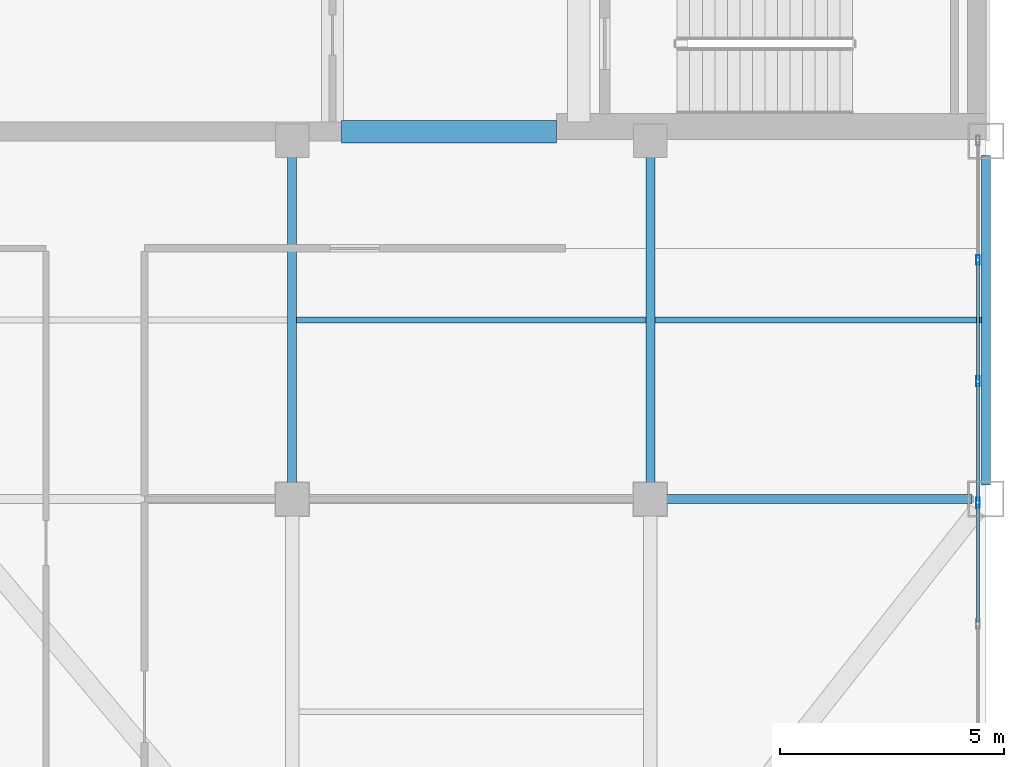
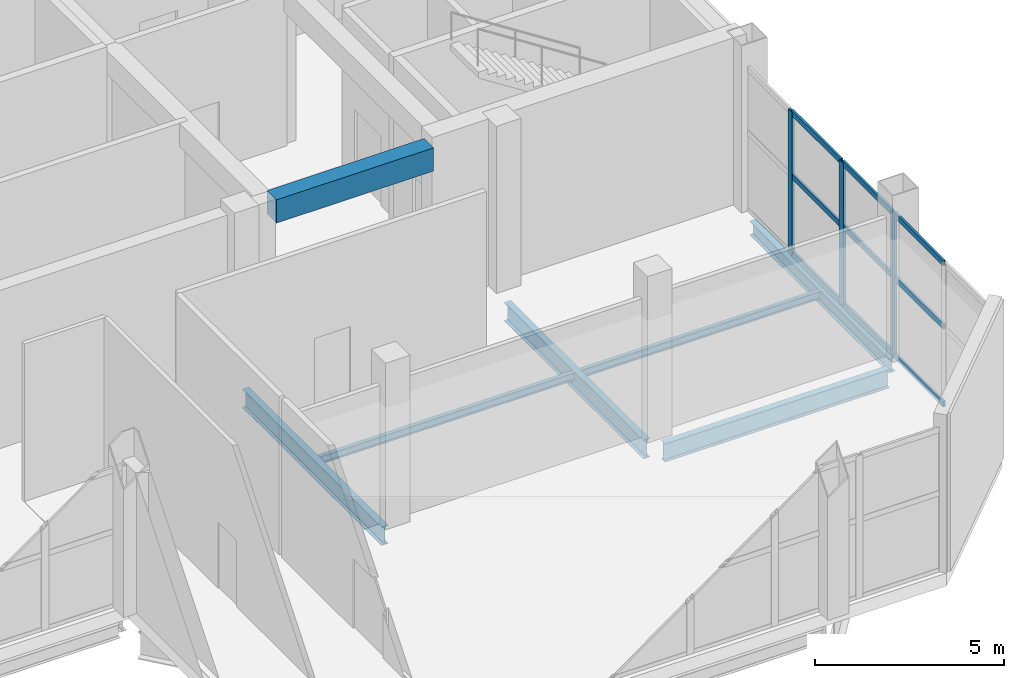
# One storey, part 9 of 17: 12 members, 7 beams, 1 element without a shape of its own.
"""IFC4 building model written with IfcOpenShell, lengths in metres."""

from ifc_helpers import new_model, si_unit, direction, frame, origin, origin_2d, place, context, subcontext, project, spatial, rectangle, hollow_rectangle, i_section, extrude, material, layer, layer_set, material_profile, profile_set, type_object, element, aggregate, save


model = new_model("IFC4")

# Units and contexts
model_context = context("Model", 3, precision=1e-05, world=origin(), true_north=direction((0.0, 1.0)))
body_context = subcontext(model_context, "Body", "Model", "MODEL_VIEW")
ifc_project = project(units=[si_unit("LENGTHUNIT", "METRE"), si_unit("AREAUNIT", "SQUARE_METRE"), si_unit("VOLUMEUNIT", "CUBIC_METRE"), si_unit("PLANEANGLEUNIT", "RADIAN"), si_unit("MASSUNIT", "GRAM", prefix="KILO")], contexts=[model_context])

# Site, building, storey
site_placement = place(None, origin())
site = spatial("IfcSite", under=ifc_project, at=site_placement, CompositionType="ELEMENT")
building_placement = place(site_placement, origin())
building = spatial("IfcBuilding", under=site, at=building_placement, Name="Qianrong Seaharbour Tower", CompositionType="ELEMENT")
storey_placement = place(building_placement, frame((0.0, 0.0, 373.0)))
storey = spatial("IfcBuildingStorey", under=building, at=storey_placement, Name="L90", CompositionType="ELEMENT", Elevation=373.0)

# Beams
ifc_material_1 = material(Name="Structural steel SN490B", Category="steel")
ifc_material_profile_1 = material_profile(ifc_material_1, i_section(OverallWidth=0.199951171875, OverallDepth=0.60009765625, WebThickness=0.010986328125, FlangeThickness=0.01708984375, FilletRadius=0.02197265625, at=origin_2d()), Name="H600x200x11x17")
ifc_profile_set_1 = profile_set([ifc_material_profile_1], Name="Structural steel SN490B")
beam_type_1 = type_object("IfcBeamType", Name="BM-G-600", PredefinedType="BEAM", material=ifc_profile_set_1)
beam_1_placement = place(storey_placement, frame((56.820068359375, 28.0, -0.7099609375), z_axis=(1.0, 0.0, 0.0), x_axis=(0.0, 1.0, 0.0)))
element("IfcBeam", 1, at=beam_1_placement, inside=storey, type_object=beam_type_1, Name="L90 Primary Girder GE G8-G9", PredefinedType="BEAM", context=body_context, shape_type="SweptSolid", body=[
    extrude(i_section(OverallWidth=0.199951171875, OverallDepth=0.60009765625, WebThickness=0.010986328125, FlangeThickness=0.01708984375, FilletRadius=0.02197265625, at=origin_2d()), origin(), (0.0, 0.0, 1.0), 6.85986328125),
])
for number, where, z_axis, x_axis, name in (
    (2, (48.5, 28.320068359375, -0.7099609375), (0.0, 1.0, 0.0), (-1.0, 0.0, 0.0), "L90 Primary Girder G7 GE-GF"),
    (3, (56.5, 28.320068359375, -0.7099609375), (0.0, 1.0, 0.0), (-1.0, 0.0, 0.0), "L90 Primary Girder G8 GE-GF"),
):
    element("IfcBeam", number, at=place(storey_placement, frame(where, z_axis=z_axis, x_axis=x_axis)), inside=storey, type_object=beam_type_1, Name=name, PredefinedType="BEAM", context=body_context, shape_type="SweptSolid", body=[
        extrude(i_section(OverallWidth=0.199951171875, OverallDepth=0.60009765625, WebThickness=0.010986328125, FlangeThickness=0.01708984375, FilletRadius=0.02197265625, at=origin_2d()), origin(), (0.0, 0.0, 1.0), 7.35986328125),
    ])
ifc_material_2 = material(Name="Structural steel SN400B", Category="steel")
ifc_material_profile_2 = material_profile(ifc_material_2, i_section(OverallWidth=0.125, OverallDepth=0.25, WebThickness=0.006103515625, FlangeThickness=0.009033203125, FilletRadius=0.011962890625, at=origin_2d()), Name="H250x125x6x9")
ifc_profile_set_2 = profile_set([ifc_material_profile_2], Name="Structural steel SN400B")
beam_type_2 = type_object("IfcBeamType", Name="BM-J-250", PredefinedType="JOIST", material=ifc_profile_set_2)
beam_2_placement = place(storey_placement, frame((48.60009765625, 32.0, -0.534912109375), z_axis=(1.0, 0.0, 0.0), x_axis=(0.0, 1.0, 0.0)))
element("IfcBeam", 4, at=beam_2_placement, inside=storey, type_object=beam_type_2, Name="L90 Composite Floor Joist G7-G8/GE-GF", PredefinedType="JOIST", context=body_context, shape_type="SweptSolid", body=[
    extrude(i_section(OverallWidth=0.125, OverallDepth=0.25, WebThickness=0.006103515625, FlangeThickness=0.009033203125, FilletRadius=0.011962890625, at=origin_2d()), origin(), (0.0, 0.0, 1.0), 7.7998046875),
])
beam_3_placement = place(storey_placement, frame((56.60009765625, 32.0, -0.534912109375), z_axis=(1.0, 0.0, 0.0), x_axis=(0.0, 1.0, 0.0)))
element("IfcBeam", 5, at=beam_3_placement, inside=storey, type_object=beam_type_2, Name="L90 Composite Floor Joist G8-G9/GE-GF", PredefinedType="JOIST", context=body_context, shape_type="SweptSolid", body=[
    extrude(i_section(OverallWidth=0.125, OverallDepth=0.25, WebThickness=0.006103515625, FlangeThickness=0.009033203125, FilletRadius=0.011962890625, at=origin_2d()), origin(), (0.0, 0.0, 1.0), 7.2998046875),
])
ifc_material_3 = material(Name="Concrete C60/75", Category="concrete")
ifc_material_profile_3 = material_profile(ifc_material_3, rectangle(XDim=0.5, YDim=0.75, at=origin_2d()), Name="RC500x750")
ifc_profile_set_3 = profile_set([ifc_material_profile_3], Name="Concrete C60/75")
beam_type_3 = type_object("IfcBeamType", Name="BM-LINTEL-750", PredefinedType="LINTEL", material=ifc_profile_set_3)
beam_4_placement = place(storey_placement, frame((49.60009765625, 36.2099609375, 4.735107421875), z_axis=(1.0, 0.0, 0.0), x_axis=(0.0, 1.0, 0.0)))
element("IfcBeam", 6, at=beam_4_placement, inside=storey, type_object=beam_type_3, Name="L90 Core Coupling Lintel Beam CBC", PredefinedType="LINTEL", context=body_context, shape_type="SweptSolid", body=[
    extrude(rectangle(XDim=0.5, YDim=0.75, at=origin_2d()), origin(), (0.0, 0.0, 1.0), 4.7998046875),
])
ifc_material_profile_4 = material_profile(ifc_material_2, i_section(OverallWidth=0.199951171875, OverallDepth=0.449951171875, WebThickness=0.009033203125, FlangeThickness=0.013916015625, FilletRadius=0.01806640625, at=origin_2d()), Name="H450x200x9x14")
ifc_profile_set_4 = profile_set([ifc_material_profile_4], Name="Structural steel SN400B")
beam_type_4 = type_object("IfcBeamType", Name="BM-SP-450", PredefinedType="SPANDREL", material=ifc_profile_set_4)
beam_5_placement = place(storey_placement, frame((64.0, 28.320068359375, -0.635009765625), z_axis=(0.0, 1.0, 0.0), x_axis=(-1.0, 0.0, 0.0)))
element("IfcBeam", 7, at=beam_5_placement, inside=storey, type_object=beam_type_4, Name="L90 Spandrel Girder G9 GE-GF", PredefinedType="SPANDREL", context=body_context, shape_type="SweptSolid", body=[
    extrude(i_section(OverallWidth=0.199951171875, OverallDepth=0.449951171875, WebThickness=0.009033203125, FlangeThickness=0.013916015625, FilletRadius=0.01806640625, at=origin_2d()), origin(), (0.0, 0.0, 1.0), 7.35986328125),
])

# Curtain wall, members
ifc_material_4 = material(Name="Anodised aluminium 6063-T6 and laminated low-e glass", Category="aluminium")
ifc_layer = layer(ifc_material_4, 0.239990234375)
ifc_layer_set = layer_set([ifc_layer], Name="Anodised aluminium 6063-T6 and laminated low-e glass")
curtain_wall_type = type_object("IfcCurtainWallType", Name="CW-SYS-6", PredefinedType="NOTDEFINED", material=ifc_layer_set)
curtain_wall_placement = place(storey_placement, origin())
curtain_wall = element("IfcCurtainWall", 8, at=curtain_wall_placement, inside=storey, type_object=curtain_wall_type, Name="L90 TMD Exhibition Lantern Translucent Curtain Wall EAST_WING", PredefinedType="NOTDEFINED")
ifc_material_5 = material(Name="Extruded aluminium 6063-T6", Category="aluminium")
ifc_material_profile_5 = material_profile(ifc_material_5, hollow_rectangle(XDim=0.080078125, YDim=0.219970703125, WallThickness=0.0048828125, at=origin_2d()), Name="ALU-MUL-220x80x5")
ifc_profile_set_5 = profile_set([ifc_material_profile_5], Name="Extruded aluminium 6063-T6")
member_type_1 = type_object("IfcMemberType", Name="CW-MUL-220", PredefinedType="MULLION", material=ifc_profile_set_5)
member_1_placement = place(storey_placement, frame((63.820068359375, 33.340087890625, 0.0), z_axis=(0.0, 0.0, 1.0), x_axis=(1.0, 0.0, 0.0)))
member_1 = element("IfcMember", 9, at=member_1_placement, type_object=member_type_1, Name="CW-6 mullion 2", PredefinedType="MULLION", context=body_context, shape_type="SweptSolid", body=[
    extrude(hollow_rectangle(XDim=0.080078125, YDim=0.219970703125, WallThickness=0.0048828125, at=origin_2d()), origin(), (0.0, 0.0, 1.0), 4.6201171875),
])
member_2_placement = place(storey_placement, frame((63.820068359375, 30.6298828125, 0.0), z_axis=(0.0, 0.0, 1.0), x_axis=(1.0, 0.0, 0.0)))
member_2 = element("IfcMember", 10, at=member_2_placement, type_object=member_type_1, Name="CW-6 mullion 3", PredefinedType="MULLION", context=body_context, shape_type="SweptSolid", body=[
    extrude(hollow_rectangle(XDim=0.080078125, YDim=0.219970703125, WallThickness=0.0048828125, at=origin_2d()), origin(), (0.0, 0.0, 1.0), 4.6201171875),
])
member_3_placement = place(storey_placement, frame((63.820068359375, 27.919921875, 0.0), z_axis=(0.0, 0.0, 1.0), x_axis=(1.0, 0.0, 0.0)))
member_3 = element("IfcMember", 11, at=member_3_placement, type_object=member_type_1, Name="CW-6 mullion 4", PredefinedType="MULLION", context=body_context, shape_type="SweptSolid", body=[
    extrude(hollow_rectangle(XDim=0.080078125, YDim=0.219970703125, WallThickness=0.0048828125, at=origin_2d()), origin(), (0.0, 0.0, 1.0), 4.6201171875),
])
ifc_material_profile_6 = material_profile(ifc_material_5, hollow_rectangle(XDim=0.070068359375, YDim=0.179931640625, WallThickness=0.00390625, at=origin_2d()), Name="ALU-TRN-180x70x4")
ifc_profile_set_6 = profile_set([ifc_material_profile_6], Name="Extruded aluminium 6063-T6")
member_type_2 = type_object("IfcMemberType", Name="CW-TRN-180", PredefinedType="USERDEFINED", material=ifc_profile_set_6)
member_4_placement = place(storey_placement, frame((63.820068359375, 33.300048828125, 0.034912109375), z_axis=(0.0, -1.0, 0.0), x_axis=(1.0, 0.0, 0.0)))
member_4 = element("IfcMember", 12, at=member_4_placement, type_object=member_type_2, Name="CW-6 transom 2.1", ObjectType="TRANSOM", PredefinedType="USERDEFINED", context=body_context, shape_type="SweptSolid", body=[
    extrude(hollow_rectangle(XDim=0.070068359375, YDim=0.179931640625, WallThickness=0.00390625, at=origin_2d()), origin(), (0.0, 0.0, 1.0), 2.630126953125),
])
member_5_placement = place(storey_placement, frame((63.820068359375, 33.300048828125, 2.541015625), z_axis=(0.0, -1.0, 0.0), x_axis=(1.0, 0.0, 0.0)))
member_5 = element("IfcMember", 13, at=member_5_placement, type_object=member_type_2, Name="CW-6 transom 2.2", ObjectType="TRANSOM", PredefinedType="USERDEFINED", context=body_context, shape_type="SweptSolid", body=[
    extrude(hollow_rectangle(XDim=0.070068359375, YDim=0.179931640625, WallThickness=0.00390625, at=origin_2d()), origin(), (0.0, 0.0, 1.0), 2.630126953125),
])
member_6_placement = place(storey_placement, frame((63.820068359375, 33.300048828125, 4.5849609375), z_axis=(0.0, -1.0, 0.0), x_axis=(1.0, 0.0, 0.0)))
member_6 = element("IfcMember", 14, at=member_6_placement, type_object=member_type_2, Name="CW-6 transom 2.3", ObjectType="TRANSOM", PredefinedType="USERDEFINED", context=body_context, shape_type="SweptSolid", body=[
    extrude(hollow_rectangle(XDim=0.070068359375, YDim=0.179931640625, WallThickness=0.00390625, at=origin_2d()), origin(), (0.0, 0.0, 1.0), 2.630126953125),
])
member_7_placement = place(storey_placement, frame((63.820068359375, 30.590087890625, 0.034912109375), z_axis=(0.0, -1.0, 0.0), x_axis=(1.0, 0.0, 0.0)))
member_7 = element("IfcMember", 15, at=member_7_placement, type_object=member_type_2, Name="CW-6 transom 3.1", ObjectType="TRANSOM", PredefinedType="USERDEFINED", context=body_context, shape_type="SweptSolid", body=[
    extrude(hollow_rectangle(XDim=0.070068359375, YDim=0.179931640625, WallThickness=0.00390625, at=origin_2d()), origin(), (0.0, 0.0, 1.0), 2.630126953125),
])
member_8_placement = place(storey_placement, frame((63.820068359375, 30.590087890625, 2.541015625), z_axis=(0.0, -1.0, 0.0), x_axis=(1.0, 0.0, 0.0)))
member_8 = element("IfcMember", 16, at=member_8_placement, type_object=member_type_2, Name="CW-6 transom 3.2", ObjectType="TRANSOM", PredefinedType="USERDEFINED", context=body_context, shape_type="SweptSolid", body=[
    extrude(hollow_rectangle(XDim=0.070068359375, YDim=0.179931640625, WallThickness=0.00390625, at=origin_2d()), origin(), (0.0, 0.0, 1.0), 2.630126953125),
])
member_9_placement = place(storey_placement, frame((63.820068359375, 30.590087890625, 4.5849609375), z_axis=(0.0, -1.0, 0.0), x_axis=(1.0, 0.0, 0.0)))
member_9 = element("IfcMember", 17, at=member_9_placement, type_object=member_type_2, Name="CW-6 transom 3.3", ObjectType="TRANSOM", PredefinedType="USERDEFINED", context=body_context, shape_type="SweptSolid", body=[
    extrude(hollow_rectangle(XDim=0.070068359375, YDim=0.179931640625, WallThickness=0.00390625, at=origin_2d()), origin(), (0.0, 0.0, 1.0), 2.630126953125),
])
member_10_placement = place(storey_placement, frame((63.820068359375, 27.8798828125, 0.034912109375), z_axis=(0.0, -1.0, 0.0), x_axis=(1.0, 0.0, 0.0)))
member_10 = element("IfcMember", 18, at=member_10_placement, type_object=member_type_2, Name="CW-6 transom 4.1", ObjectType="TRANSOM", PredefinedType="USERDEFINED", context=body_context, shape_type="SweptSolid", body=[
    extrude(hollow_rectangle(XDim=0.070068359375, YDim=0.179931640625, WallThickness=0.00390625, at=origin_2d()), origin(), (0.0, 0.0, 1.0), 2.6298828125),
])
member_11_placement = place(storey_placement, frame((63.820068359375, 27.8798828125, 2.541015625), z_axis=(0.0, -1.0, 0.0), x_axis=(1.0, 0.0, 0.0)))
member_11 = element("IfcMember", 19, at=member_11_placement, type_object=member_type_2, Name="CW-6 transom 4.2", ObjectType="TRANSOM", PredefinedType="USERDEFINED", context=body_context, shape_type="SweptSolid", body=[
    extrude(hollow_rectangle(XDim=0.070068359375, YDim=0.179931640625, WallThickness=0.00390625, at=origin_2d()), origin(), (0.0, 0.0, 1.0), 2.6298828125),
])
member_12_placement = place(storey_placement, frame((63.820068359375, 27.8798828125, 4.5849609375), z_axis=(0.0, -1.0, 0.0), x_axis=(1.0, 0.0, 0.0)))
member_12 = element("IfcMember", 20, at=member_12_placement, type_object=member_type_2, Name="CW-6 transom 4.3", ObjectType="TRANSOM", PredefinedType="USERDEFINED", context=body_context, shape_type="SweptSolid", body=[
    extrude(hollow_rectangle(XDim=0.070068359375, YDim=0.179931640625, WallThickness=0.00390625, at=origin_2d()), origin(), (0.0, 0.0, 1.0), 2.6298828125),
])
aggregate(curtain_wall, [member_1, member_2, member_3, member_4, member_5, member_6, member_7, member_8, member_9, member_10, member_11, member_12])

save(model, "model.ifc")
